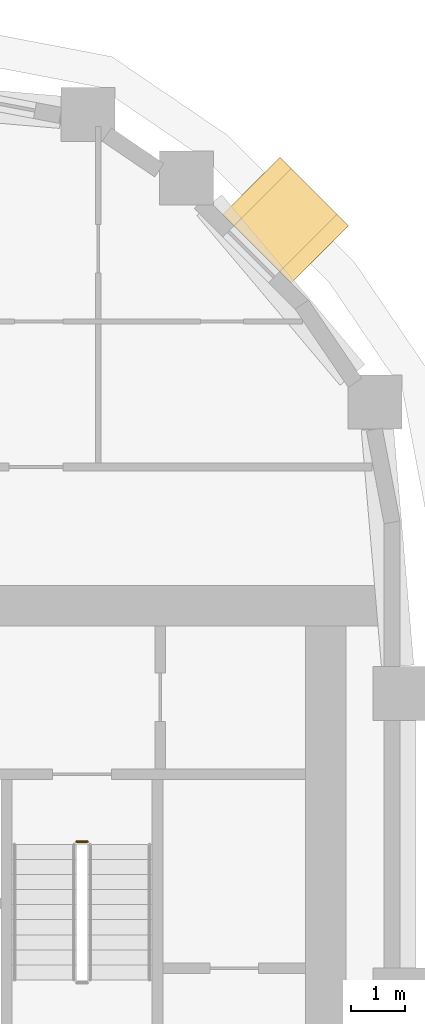
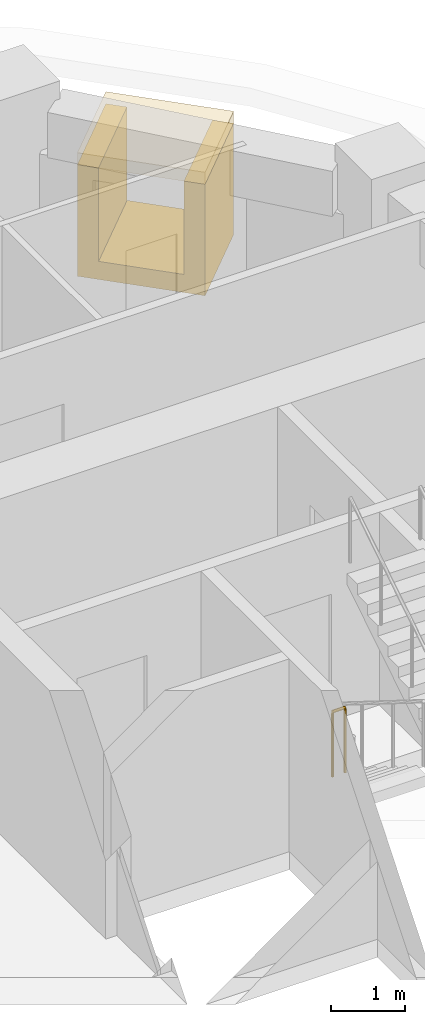
# One storey, part 22 of 22: 2 coverings, 1 railing.
"""IFC4 building model written with IfcOpenShell, lengths in metres."""

from ifc_helpers import new_model, si_unit, direction, frame, origin, origin_2d, place, context, subcontext, project, spatial, polyline, rectangle, circle, outline, extrude, material, layer, layer_set, type_object, element, save


model = new_model("IFC4")

# Units and contexts
model_context = context("Model", 3, precision=1e-05, world=origin(), true_north=direction((0.0, 1.0)))
body_context = subcontext(model_context, "Body", "Model", "MODEL_VIEW")
ifc_project = project(units=[si_unit("LENGTHUNIT", "METRE"), si_unit("AREAUNIT", "SQUARE_METRE"), si_unit("VOLUMEUNIT", "CUBIC_METRE"), si_unit("PLANEANGLEUNIT", "RADIAN"), si_unit("MASSUNIT", "GRAM", prefix="KILO")], contexts=[model_context])

# Site, building, storey
site_placement = place(None, origin())
site = spatial("IfcSite", under=ifc_project, at=site_placement, CompositionType="ELEMENT")
building_placement = place(site_placement, origin())
building = spatial("IfcBuilding", under=site, at=building_placement, Name="Kiln Ring Residences", CompositionType="ELEMENT")
storey_placement = place(building_placement, frame((0.0, 0.0, 164.10009765625)))
storey = spatial("IfcBuildingStorey", under=building, at=storey_placement, Name="L42", CompositionType="ELEMENT", Elevation=164.10009765625)

# Railing
ifc_material_1 = material(Name="Stainless steel", Category="steel")
railing_type = type_object("IfcRailingType", Name="CORE-STAIR-GUARD", PredefinedType="GUARDRAIL", material=ifc_material_1)
railing_placement = place(storey_placement, frame((22.0, 8.449951171875, 0.0)))
element("IfcRailing", 1, at=railing_placement, inside=storey, type_object=railing_type, Name="L42 E-STN stair guard 4", PredefinedType="GUARDRAIL", context=body_context, shape_type="SweptSolid", body=[
    extrude(circle(Radius=0.02392578125, at=origin_2d()), frame((0.0, 0.0, 1.076171875), z_axis=(1.0, 0.0, 0.0), x_axis=(0.0, 1.0, 0.0)), (0.0, 0.0, 1.0), 0.199951171875),
    extrude(circle(Radius=0.02099609375, at=origin_2d()), origin(), (0.0, 0.0, 1.0), 1.052001953125),
    extrude(circle(Radius=0.02099609375, at=origin_2d()), frame((0.199951171875, 0.0, 0.0)), (0.0, 0.0, 1.0), 1.052001953125),
])

# Coverings
ifc_material_2 = material(Name="Brick masonry, dark clay brick", Category="masonry")
ifc_layer_1 = layer(ifc_material_2, 0.300048828125)
ifc_layer_set_1 = layer_set([ifc_layer_1], Name="FRAME CHEEKS AND SILL 1500")
covering_type_1 = type_object("IfcCoveringType", Name="FRAME CHEEKS AND SILL 1500", PredefinedType="CLADDING", material=ifc_layer_set_1)
covering_1_placement = place(storey_placement, frame((26.51513671875, 19.345703125, 0.2998046875), z_axis=(0.0, 0.0, 1.0), x_axis=(-0.707174592913, 0.707038962956, 0.0)))
element("IfcCovering", 2, at=covering_1_placement, inside=storey, type_object=covering_type_1, Name="FRAME L42", PredefinedType="CLADDING", context=body_context, shape_type="SweptSolid", body=[
    extrude(outline(polyline([(0.0, 0.0), (1.800048828125, 0.0), (1.800048828125, 1.85009765625), (1.5009765625, 1.85009765625), (1.5, 0.300048828125), (0.300048828125, 0.300048828125), (0.299072265625, 1.85009765625), (0.0, 1.85009765625), (0.0, 0.0)])), frame((0.0, 0.75, 0.0), z_axis=(0.0, -1.0, 0.0), x_axis=(1.0, 0.0, 0.0)), (0.0, 0.0, 1.0), 1.5),
])
ifc_material_3 = material(Name="Brick masonry, dark clay brick", Category="masonry")
ifc_layer_2 = layer(ifc_material_3, 0.199951171875)
ifc_layer_set_2 = layer_set([ifc_layer_2], Name="FRAME HEAD 1500")
covering_type_2 = type_object("IfcCoveringType", Name="FRAME HEAD 1500", PredefinedType="CLADDING", material=ifc_layer_set_2)
covering_2_placement = place(storey_placement, frame((25.878662109375, 19.98193359375, 2.14990234375), z_axis=(0.0, 0.0, 1.0), x_axis=(-0.707106781187, 0.707106781187, 0.0)))
element("IfcCovering", 3, at=covering_2_placement, inside=storey, type_object=covering_type_2, Name="FRAME HEAD L42", PredefinedType="CLADDING", context=body_context, shape_type="SweptSolid", body=[
    extrude(rectangle(XDim=1.800048828125, YDim=1.5, at=origin_2d()), origin(), (0.0, 0.0, 1.0), 0.199951171875),
])

save(model, "model.ifc")
